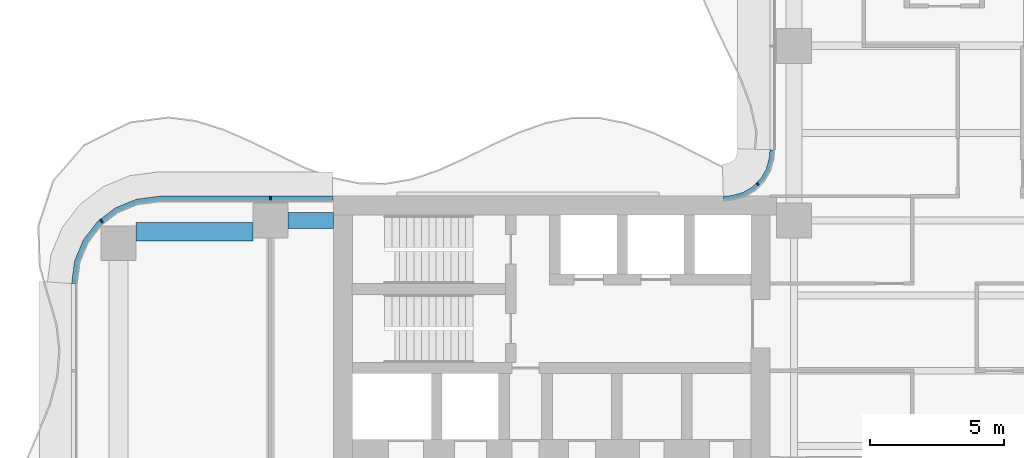
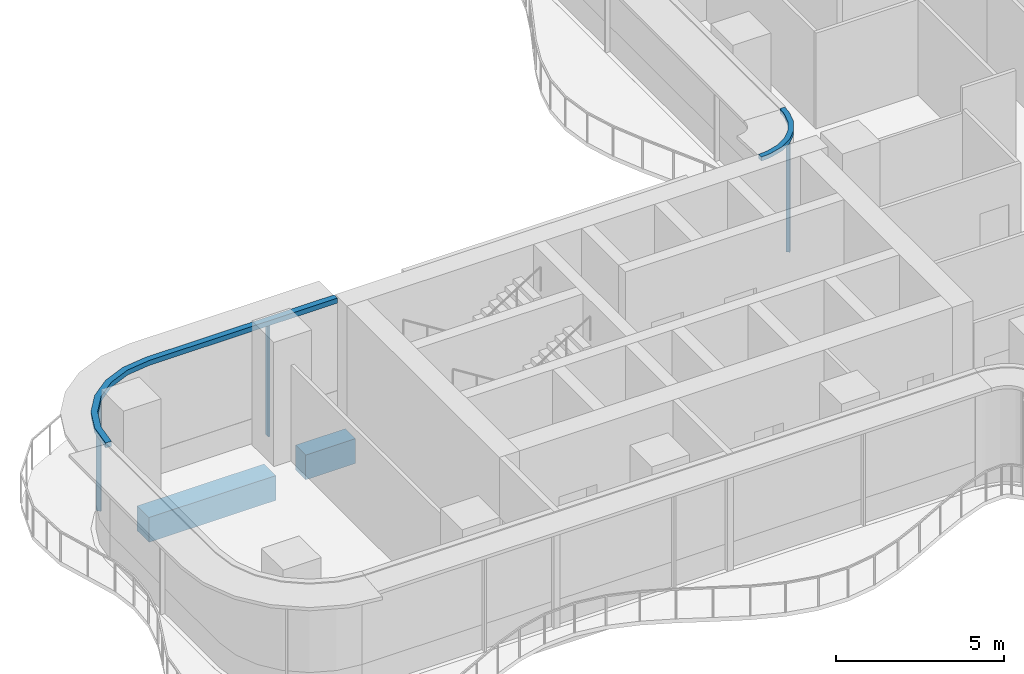
# One storey, part 8 of 21: 5 members, 2 beams, 2 elements without a shape of their own.
"""IFC4 building model written with IfcOpenShell, lengths in metres."""

from ifc_helpers import new_model, si_unit, direction, frame, origin, origin_2d, place, context, subcontext, project, spatial, polyline, rectangle, outline, extrude, source, transform, mapped, material, layer, layer_set, material_profile, profile_set, type_object, element, aggregate, save


model = new_model("IFC4")

# Units and contexts
model_context = context("Model", 3, precision=1e-05, world=origin(), true_north=direction((0.0, 1.0)))
body_context = subcontext(model_context, "Body", "Model", "MODEL_VIEW")
ifc_project = project(units=[si_unit("LENGTHUNIT", "METRE"), si_unit("AREAUNIT", "SQUARE_METRE"), si_unit("VOLUMEUNIT", "CUBIC_METRE"), si_unit("PLANEANGLEUNIT", "RADIAN"), si_unit("MASSUNIT", "GRAM", prefix="KILO")], contexts=[model_context])

# Site, building, storey
site_placement = place(None, origin())
site = spatial("IfcSite", under=ifc_project, at=site_placement, CompositionType="ELEMENT")
building_placement = place(site_placement, origin())
building = spatial("IfcBuilding", under=site, at=building_placement, Name="Trellis Farm Tower", CompositionType="ELEMENT")
storey_placement = place(building_placement, frame((0.0, 0.0, 106.5)))
storey = spatial("IfcBuildingStorey", under=building, at=storey_placement, Name="L22", CompositionType="ELEMENT", Elevation=106.5)

# Beams
ifc_material_1 = material(Name="Concrete C60/75", Category="concrete")
ifc_material_profile_1 = material_profile(ifc_material_1, rectangle(XDim=0.60009765625, YDim=0.89990234375, at=origin_2d()), Name="RC spandrel beam 600x900 C60/75")
ifc_profile_set_1 = profile_set([ifc_material_profile_1], Name="Concrete C60/75")
beam_type_1 = type_object("IfcBeamType", Name="RC spandrel beam 600x900 C60/75", PredefinedType="SPANDREL", material=ifc_profile_set_1)
shared_shape_1 = source(origin(), body_context, "Body", "SweptSolid", [
    extrude(rectangle(XDim=0.60009765625, YDim=0.89990234375, at=origin_2d()), origin(), (0.0, 0.0, 1.0), 1.699951171875),
])
beam_1_placement = place(storey_placement, frame((-24.449951171875, 5.60009765625, -0.699951171875), z_axis=(1.0, 0.0, 0.0), x_axis=(0.0, 1.0, 0.0)))
element("IfcBeam", 1, at=beam_1_placement, inside=storey, type_object=beam_type_1, Name="Girder", PredefinedType="SPANDREL", context=body_context, shape_type="MappedRepresentation", body=[
    mapped(shared_shape_1, transform((0.0, 0.0, 0.0))),
])
ifc_material_profile_2 = material_profile(ifc_material_1, rectangle(XDim=0.699951171875, YDim=0.89990234375, at=origin_2d()), Name="RC spandrel beam 700x900 C60/75")
ifc_profile_set_2 = profile_set([ifc_material_profile_2], Name="Concrete C60/75")
beam_type_2 = type_object("IfcBeamType", Name="RC spandrel beam 700x900 C60/75", PredefinedType="SPANDREL", material=ifc_profile_set_2)
shared_shape_2 = source(origin(), body_context, "Body", "SweptSolid", [
    extrude(rectangle(XDim=0.699951171875, YDim=0.89990234375, at=origin_2d()), origin(), (0.0, 0.0, 1.0), 4.35009765625),
])
beam_2_placement = place(storey_placement, frame((-30.10009765625, 5.175048828125, -0.699951171875), z_axis=(1.0, 0.0, 0.0), x_axis=(0.0, 1.0, 0.0)))
element("IfcBeam", 2, at=beam_2_placement, inside=storey, type_object=beam_type_2, Name="Girder", PredefinedType="SPANDREL", context=body_context, shape_type="MappedRepresentation", body=[
    mapped(shared_shape_2, transform((0.0, 0.0, 0.0))),
])

# Curtain wall, members
ifc_material_2 = material(Name="Aluminium and glass curtain wall", Category="aluminium")
ifc_layer_1 = layer(ifc_material_2, 0.18994140625)
ifc_layer_set_1 = layer_set([ifc_layer_1], Name="RIBBON CURTAIN WALL CW1")
curtain_wall_type_1 = type_object("IfcCurtainWallType", Name="RIBBON CURTAIN WALL CW1", PredefinedType="NOTDEFINED", material=ifc_layer_set_1)
placement = place(storey_placement, origin())
curtain_wall_1 = element("IfcCurtainWall", 3, at=placement, inside=storey, type_object=curtain_wall_type_1, Name="CW1 012", PredefinedType="NOTDEFINED")
ifc_material_3 = material(Name="Aluminium extrusion 6063-T6", Category="aluminium")
ifc_material_profile_3 = material_profile(ifc_material_3, rectangle(XDim=0.06005859375, YDim=0.14990234375, at=origin_2d()), Name="MULLION 60x150")
ifc_profile_set_3 = profile_set([ifc_material_profile_3], Name="Aluminium extrusion 6063-T6")
member_type_1 = type_object("IfcMemberType", Name="CW1 MULLION 60x150", PredefinedType="MULLION", material=ifc_profile_set_3)
shared_shape_3 = source(origin(), body_context, "Body", "SweptSolid", [
    extrude(rectangle(XDim=0.06005859375, YDim=0.14990234375, at=origin_2d()), origin(), (0.0, 0.0, 1.0), 4.070068359375),
])
member_1_placement = place(storey_placement, frame((-25.10009765625, 6.425048828125, 0.0), z_axis=(0.0, 0.0, 1.0), x_axis=(-1.0, 0.0, 0.0)))
member_1 = element("IfcMember", 4, at=member_1_placement, type_object=member_type_1, Name="MU1 012-01", PredefinedType="MULLION", context=body_context, shape_type="MappedRepresentation", body=[
    mapped(shared_shape_3, transform((0.0, 0.0, 0.0))),
])
member_2_placement = place(storey_placement, frame((-31.385498046875, 5.578369140625, 0.0), z_axis=(0.0, 0.0, 1.0), x_axis=(-0.793353340291, -0.608761429009, 0.0)))
member_2 = element("IfcMember", 5, at=member_2_placement, type_object=member_type_1, Name="MU1 012-02", PredefinedType="MULLION", context=body_context, shape_type="MappedRepresentation", body=[
    mapped(shared_shape_3, transform((0.0, 0.0, 0.0))),
])

ifc_layer_2 = layer(ifc_material_2, 0.166015625)
ifc_layer_set_2 = layer_set([ifc_layer_2], Name="WINTER GARDEN CURTAIN WALL CW3")
curtain_wall_type_2 = type_object("IfcCurtainWallType", Name="WINTER GARDEN CURTAIN WALL CW3", PredefinedType="NOTDEFINED", material=ifc_layer_set_2)
curtain_wall_2 = element("IfcCurtainWall", 6, at=placement, inside=storey, type_object=curtain_wall_type_2, Name="CW3 004", PredefinedType="NOTDEFINED")
ifc_material_profile_4 = material_profile(ifc_material_3, rectangle(XDim=0.050048828125, YDim=0.1201171875, at=origin_2d()), Name="MULLION 50x120")
ifc_profile_set_4 = profile_set([ifc_material_profile_4], Name="Aluminium extrusion 6063-T6")
member_type_2 = type_object("IfcMemberType", Name="CW3 MULLION 50x120", PredefinedType="MULLION", material=ifc_profile_set_4)
shared_shape_4 = source(origin(), body_context, "Body", "SweptSolid", [
    extrude(rectangle(XDim=0.050048828125, YDim=0.1201171875, at=origin_2d()), origin(), (0.0, 0.0, 1.0), 4.10009765625),
])
member_3_placement = place(storey_placement, frame((-6.953125, 6.953125, 0.0), z_axis=(0.0, 0.0, 1.0), x_axis=(-0.707106781187, -0.707106781187, 0.0)))
member_3 = element("IfcMember", 7, at=member_3_placement, type_object=member_type_2, Name="MU3 004-01", PredefinedType="MULLION", context=body_context, shape_type="MappedRepresentation", body=[
    mapped(shared_shape_4, transform((0.0, 0.0, 0.0))),
])
ifc_layer_3 = layer(ifc_material_3, 0.169921875)
ifc_layer_set_3 = layer_set([ifc_layer_3], Name="Aluminium extrusion 6063-T6")
member_type_3 = type_object("IfcMemberType", Name="CW3 TRANSOM 170x150", PredefinedType="USERDEFINED", material=ifc_layer_set_3)
shared_shape_5 = source(origin(), body_context, "Body", "SweptSolid", [
    extrude(outline(polyline([(-6.5, 8.2314453125), (-6.513916015625, 8.01953125), (-6.527587890625, 7.91552734375), (-6.63671875, 7.508544921875), (-6.846923828125, 7.144287109375), (-7.144287109375, 6.846923828125), (-7.508544921875, 6.63671875), (-7.91552734375, 6.527587890625), (-8.01953125, 6.513916015625), (-8.2314453125, 6.5), (-8.225830078125, 6.330078125), (-8.0029296875, 6.3447265625), (-7.88232421875, 6.360595703125), (-7.44287109375, 6.478271484375), (-7.0400390625, 6.7109375), (-6.7109375, 7.0400390625), (-6.478271484375, 7.44287109375), (-6.360595703125, 7.88232421875), (-6.3447265625, 8.0029296875), (-6.330078125, 8.225830078125), (-6.5, 8.2314453125)])), origin(), (0.0, 0.0, 1.0), 0.14990234375),
])
member_4_placement = place(storey_placement, frame((0.0, 0.0, 4.10009765625)))
member_4 = element("IfcMember", 8, at=member_4_placement, type_object=member_type_3, Name="TR3 004", ObjectType="TRANSOM", PredefinedType="USERDEFINED", context=body_context, shape_type="MappedRepresentation", body=[
    mapped(shared_shape_5, transform((0.0, 0.0, 0.0))),
])
aggregate(curtain_wall_2, [member_3, member_4])

# Member
ifc_layer_4 = layer(ifc_material_3, 0.199951171875)
ifc_layer_set_4 = layer_set([ifc_layer_4], Name="Aluminium extrusion 6063-T6")
member_type_4 = type_object("IfcMemberType", Name="CW1 TRANSOM 200x180", PredefinedType="USERDEFINED", material=ifc_layer_set_4)
shared_shape_6 = source(origin(), body_context, "Body", "SweptSolid", [
    extrude(outline(polyline([(-22.780029296875, 6.5), (-29.25, 6.5), (-30.091064453125, 6.38916015625), (-30.875, 6.064697265625), (-31.548095703125, 5.548095703125), (-32.064697265625, 4.875), (-32.38916015625, 4.091064453125), (-32.5, 3.25), (-32.300048828125, 3.23681640625), (-32.1943359375, 4.0390625), (-31.889892578125, 4.774169921875), (-31.405517578125, 5.405517578125), (-30.774169921875, 5.889892578125), (-30.0390625, 6.1943359375), (-29.23681640625, 6.300048828125), (-22.780029296875, 6.300048828125), (-22.780029296875, 6.5)])), origin(), (0.0, 0.0, 1.0), 0.179931640625),
])
member_5_placement = place(storey_placement, frame((0.0, 0.0, 4.070068359375)))
member_5 = element("IfcMember", 9, at=member_5_placement, type_object=member_type_4, Name="TR1 012", ObjectType="TRANSOM", PredefinedType="USERDEFINED", context=body_context, shape_type="MappedRepresentation", body=[
    mapped(shared_shape_6, transform((0.0, 0.0, 0.0))),
])

aggregate(curtain_wall_1, [member_1, member_2, member_5])

save(model, "model.ifc")
